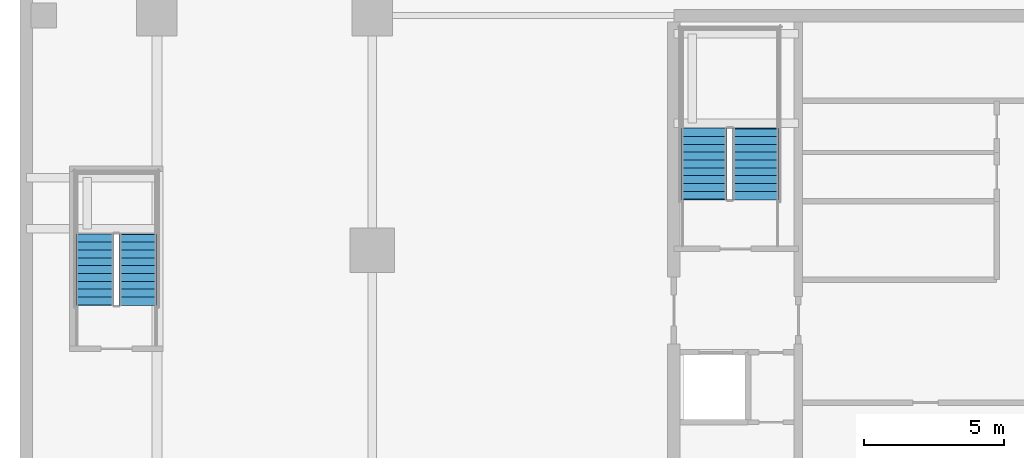
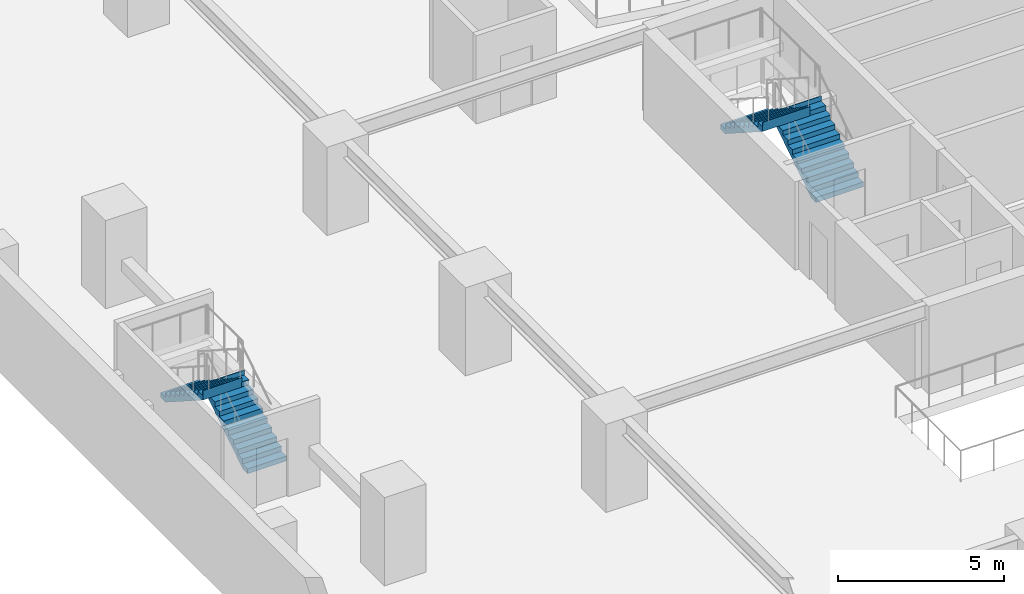
# One storey, part 5 of 10: 4 stair flights, 2 elements without a shape of their own.
"""IFC4 building model written with IfcOpenShell, lengths in metres."""

from ifc_helpers import new_model, si_unit, direction, frame, origin, place, context, subcontext, project, spatial, polygons, material, type_object, element, aggregate, save


model = new_model("IFC4")

# Units and contexts
model_context = context("Model", 3, precision=1e-05, world=origin(), true_north=direction((0.0, 1.0)))
body_context = subcontext(model_context, "Body", "Model", "MODEL_VIEW")
ifc_project = project(units=[si_unit("LENGTHUNIT", "METRE"), si_unit("AREAUNIT", "SQUARE_METRE"), si_unit("VOLUMEUNIT", "CUBIC_METRE"), si_unit("PLANEANGLEUNIT", "RADIAN"), si_unit("MASSUNIT", "GRAM", prefix="KILO")], contexts=[model_context])

# Site, building, storey
site_placement = place(None, origin())
site = spatial("IfcSite", under=ifc_project, at=site_placement, CompositionType="ELEMENT")
building_placement = place(site_placement, origin())
building = spatial("IfcBuilding", under=site, at=building_placement, Name="Serunith Strait Residences", CompositionType="ELEMENT")
storey_placement = place(building_placement, frame((0.0, 0.0, -7.199951171875)))
storey = spatial("IfcBuildingStorey", under=building, at=storey_placement, Name="B02", CompositionType="ELEMENT", Elevation=-7.199951171875)

# Stair, stair flights
ifc_material = material(Name="Concrete C50/60", Category="concrete")
stair_type_1 = type_object("IfcStairType", Name="STR-BSMT-5", PredefinedType="HALF_TURN_STAIR", material=ifc_material)
stair_1_placement = place(storey_placement, origin())
stair_1 = element("IfcStair", 1, at=stair_1_placement, inside=storey, type_object=stair_type_1, Name="B02 Basement Escape Stair ST-5", PredefinedType="HALF_TURN_STAIR")
stair_flight_type_1 = type_object("IfcStairFlightType", Name="FLT-BSMT-5", PredefinedType="STRAIGHT", material=ifc_material)
stair_flight_1_placement = place(storey_placement, frame((4.22509765625, 23.25, 0.0), z_axis=(0.0, 0.0, 1.0), x_axis=(0.0, 1.0, 0.0)))
stair_flight_1 = element("IfcStairFlight", 2, at=stair_flight_1_placement, type_object=stair_flight_type_1, Name="ST-5 flight 1", NumberOfRisers=10, NumberOfTreads=9, PredefinedType="STRAIGHT", RiserHeight=0.18, TreadLength=0.28, context=body_context, shape_type="Tessellation", body=[
    polygons([(-0.02001953125, -0.675048828125, 0.0), (-0.02001953125, -0.675048828125, 0.179931640625), (0.280029296875, -0.675048828125, 0.179931640625), (0.280029296875, -0.675048828125, 0.360107421875), (0.56005859375, -0.675048828125, 0.360107421875), (0.56005859375, -0.675048828125, 0.5400390625), (0.840087890625, -0.675048828125, 0.5400390625), (0.840087890625, -0.675048828125, 0.719970703125), (1.1201171875, -0.675048828125, 0.719970703125), (1.1201171875, -0.675048828125, 0.89990234375), (1.39990234375, -0.675048828125, 0.89990234375), (1.39990234375, -0.675048828125, 1.080078125), (1.679931640625, -0.675048828125, 1.080078125), (1.679931640625, -0.675048828125, 1.260009765625), (1.9599609375, -0.675048828125, 1.260009765625), (1.9599609375, -0.675048828125, 1.43994140625), (2.239990234375, -0.675048828125, 1.43994140625), (2.239990234375, -0.675048828125, 1.6201171875), (2.52001953125, -0.675048828125, 1.6201171875), (2.52001953125, -0.675048828125, 1.800048828125), (2.5400390625, -0.675048828125, 1.800048828125), (2.5400390625, -0.675048828125, 1.739990234375), (2.52001953125, -0.675048828125, 1.44189453125), (0.277099609375, -0.675048828125, 0.0), (-0.02001953125, -0.33740234375, 0.0), (-0.02001953125, -0.33740234375, 0.179931640625), (0.280029296875, -0.33740234375, 0.179931640625), (0.280029296875, -0.33740234375, 0.360107421875), (0.56005859375, -0.33740234375, 0.360107421875), (0.56005859375, -0.33740234375, 0.5400390625), (0.840087890625, -0.33740234375, 0.5400390625), (0.840087890625, -0.33740234375, 0.719970703125), (1.1201171875, -0.33740234375, 0.719970703125), (1.1201171875, -0.33740234375, 0.89990234375), (1.39990234375, -0.33740234375, 0.89990234375), (1.39990234375, -0.33740234375, 1.080078125), (1.679931640625, -0.33740234375, 1.080078125), (1.679931640625, -0.33740234375, 1.260009765625), (1.9599609375, -0.33740234375, 1.260009765625), (1.9599609375, -0.33740234375, 1.43994140625), (2.239990234375, -0.33740234375, 1.43994140625), (2.239990234375, -0.33740234375, 1.6201171875), (2.52001953125, -0.33740234375, 1.6201171875), (2.52001953125, -0.33740234375, 1.800048828125), (2.5400390625, -0.33740234375, 1.800048828125), (2.5400390625, -0.33740234375, 1.739990234375), (2.52001953125, -0.33740234375, 1.44189453125), (0.277099609375, -0.33740234375, 0.0), (-0.02001953125, 0.0, 0.0), (-0.02001953125, 0.0, 0.179931640625), (0.280029296875, 0.0, 0.179931640625), (0.280029296875, 0.0, 0.360107421875), (0.56005859375, 0.0, 0.360107421875), (0.56005859375, 0.0, 0.5400390625), (0.840087890625, 0.0, 0.5400390625), (0.840087890625, 0.0, 0.719970703125), (1.1201171875, 0.0, 0.719970703125), (1.1201171875, 0.0, 0.89990234375), (1.39990234375, 0.0, 0.89990234375), (1.39990234375, 0.0, 1.080078125), (1.679931640625, 0.0, 1.080078125), (1.679931640625, 0.0, 1.260009765625), (1.9599609375, 0.0, 1.260009765625), (1.9599609375, 0.0, 1.43994140625), (2.239990234375, 0.0, 1.43994140625), (2.239990234375, 0.0, 1.6201171875), (2.52001953125, 0.0, 1.6201171875), (2.52001953125, 0.0, 1.800048828125), (2.5400390625, 0.0, 1.800048828125), (2.5400390625, 0.0, 1.739990234375), (2.52001953125, 0.0, 1.44189453125), (0.277099609375, 0.0, 0.0), (-0.02001953125, 0.33740234375, 0.0), (-0.02001953125, 0.33740234375, 0.179931640625), (0.280029296875, 0.33740234375, 0.179931640625), (0.280029296875, 0.33740234375, 0.360107421875), (0.56005859375, 0.33740234375, 0.360107421875), (0.56005859375, 0.33740234375, 0.5400390625), (0.840087890625, 0.33740234375, 0.5400390625), (0.840087890625, 0.33740234375, 0.719970703125), (1.1201171875, 0.33740234375, 0.719970703125), (1.1201171875, 0.33740234375, 0.89990234375), (1.39990234375, 0.33740234375, 0.89990234375), (1.39990234375, 0.33740234375, 1.080078125), (1.679931640625, 0.33740234375, 1.080078125), (1.679931640625, 0.33740234375, 1.260009765625), (1.9599609375, 0.33740234375, 1.260009765625), (1.9599609375, 0.33740234375, 1.43994140625), (2.239990234375, 0.33740234375, 1.43994140625), (2.239990234375, 0.33740234375, 1.6201171875), (2.52001953125, 0.33740234375, 1.6201171875), (2.52001953125, 0.33740234375, 1.800048828125), (2.5400390625, 0.33740234375, 1.800048828125), (2.5400390625, 0.33740234375, 1.739990234375), (2.52001953125, 0.33740234375, 1.44189453125), (0.277099609375, 0.33740234375, 0.0), (-0.02001953125, 0.675048828125, 0.0), (-0.02001953125, 0.675048828125, 0.179931640625), (0.280029296875, 0.675048828125, 0.179931640625), (0.280029296875, 0.675048828125, 0.360107421875), (0.56005859375, 0.675048828125, 0.360107421875), (0.56005859375, 0.675048828125, 0.5400390625), (0.840087890625, 0.675048828125, 0.5400390625), (0.840087890625, 0.675048828125, 0.719970703125), (1.1201171875, 0.675048828125, 0.719970703125), (1.1201171875, 0.675048828125, 0.89990234375), (1.39990234375, 0.675048828125, 0.89990234375), (1.39990234375, 0.675048828125, 1.080078125), (1.679931640625, 0.675048828125, 1.080078125), (1.679931640625, 0.675048828125, 1.260009765625), (1.9599609375, 0.675048828125, 1.260009765625), (1.9599609375, 0.675048828125, 1.43994140625), (2.239990234375, 0.675048828125, 1.43994140625), (2.239990234375, 0.675048828125, 1.6201171875), (2.52001953125, 0.675048828125, 1.6201171875), (2.52001953125, 0.675048828125, 1.800048828125), (2.5400390625, 0.675048828125, 1.800048828125), (2.5400390625, 0.675048828125, 1.739990234375), (2.52001953125, 0.675048828125, 1.44189453125), (0.277099609375, 0.675048828125, 0.0)], [[[1, 2, 26, 25]], [[2, 3, 27, 26]], [[3, 4, 28, 27]], [[4, 5, 29, 28]], [[5, 6, 30, 29]], [[6, 7, 31, 30]], [[7, 8, 32, 31]], [[8, 9, 33, 32]], [[9, 10, 34, 33]], [[10, 11, 35, 34]], [[11, 12, 36, 35]], [[12, 13, 37, 36]], [[13, 14, 38, 37]], [[14, 15, 39, 38]], [[15, 16, 40, 39]], [[16, 17, 41, 40]], [[17, 18, 42, 41]], [[18, 19, 43, 42]], [[19, 20, 44, 43]], [[20, 21, 45, 44]], [[21, 22, 46, 45]], [[22, 23, 47, 46]], [[23, 24, 48, 47]], [[24, 1, 25, 48]], [[25, 26, 50, 49]], [[26, 27, 51, 50]], [[27, 28, 52, 51]], [[28, 29, 53, 52]], [[29, 30, 54, 53]], [[30, 31, 55, 54]], [[31, 32, 56, 55]], [[32, 33, 57, 56]], [[33, 34, 58, 57]], [[34, 35, 59, 58]], [[35, 36, 60, 59]], [[36, 37, 61, 60]], [[37, 38, 62, 61]], [[38, 39, 63, 62]], [[39, 40, 64, 63]], [[40, 41, 65, 64]], [[41, 42, 66, 65]], [[42, 43, 67, 66]], [[43, 44, 68, 67]], [[44, 45, 69, 68]], [[45, 46, 70, 69]], [[46, 47, 71, 70]], [[47, 48, 72, 71]], [[48, 25, 49, 72]], [[49, 50, 74, 73]], [[50, 51, 75, 74]], [[51, 52, 76, 75]], [[52, 53, 77, 76]], [[53, 54, 78, 77]], [[54, 55, 79, 78]], [[55, 56, 80, 79]], [[56, 57, 81, 80]], [[57, 58, 82, 81]], [[58, 59, 83, 82]], [[59, 60, 84, 83]], [[60, 61, 85, 84]], [[61, 62, 86, 85]], [[62, 63, 87, 86]], [[63, 64, 88, 87]], [[64, 65, 89, 88]], [[65, 66, 90, 89]], [[66, 67, 91, 90]], [[67, 68, 92, 91]], [[68, 69, 93, 92]], [[69, 70, 94, 93]], [[70, 71, 95, 94]], [[71, 72, 96, 95]], [[72, 49, 73, 96]], [[73, 74, 98, 97]], [[74, 75, 99, 98]], [[75, 76, 100, 99]], [[76, 77, 101, 100]], [[77, 78, 102, 101]], [[78, 79, 103, 102]], [[79, 80, 104, 103]], [[80, 81, 105, 104]], [[81, 82, 106, 105]], [[82, 83, 107, 106]], [[83, 84, 108, 107]], [[84, 85, 109, 108]], [[85, 86, 110, 109]], [[86, 87, 111, 110]], [[87, 88, 112, 111]], [[88, 89, 113, 112]], [[89, 90, 114, 113]], [[90, 91, 115, 114]], [[91, 92, 116, 115]], [[92, 93, 117, 116]], [[93, 94, 118, 117]], [[94, 95, 119, 118]], [[95, 96, 120, 119]], [[96, 73, 97, 120]], [[24, 23, 22, 21, 20, 19, 18, 17, 16, 15, 14, 13, 12, 11, 10, 9, 8, 7, 6, 5, 4, 3, 2, 1]], [[97, 98, 99, 100, 101, 102, 103, 104, 105, 106, 107, 108, 109, 110, 111, 112, 113, 114, 115, 116, 117, 118, 119, 120]]], closed=True),
])
stair_flight_2_placement = place(storey_placement, frame((2.675048828125, 25.77001953125, 1.800048828125), z_axis=(0.0, 0.0, 1.0), x_axis=(0.0, -1.0, 0.0)))
stair_flight_2 = element("IfcStairFlight", 3, at=stair_flight_2_placement, type_object=stair_flight_type_1, Name="ST-5 flight 2", NumberOfRisers=10, NumberOfTreads=9, PredefinedType="STRAIGHT", RiserHeight=0.18, TreadLength=0.28, context=body_context, shape_type="Tessellation", body=[
    polygons([(-0.02001953125, -0.675048828125, 0.0), (-0.02001953125, -0.675048828125, 0.179931640625), (0.280029296875, -0.675048828125, 0.179931640625), (0.280029296875, -0.675048828125, 0.360107421875), (0.56005859375, -0.675048828125, 0.360107421875), (0.56005859375, -0.675048828125, 0.5400390625), (0.840087890625, -0.675048828125, 0.5400390625), (0.840087890625, -0.675048828125, 0.719970703125), (1.1201171875, -0.675048828125, 0.719970703125), (1.1201171875, -0.675048828125, 0.89990234375), (1.39990234375, -0.675048828125, 0.89990234375), (1.39990234375, -0.675048828125, 1.080078125), (1.679931640625, -0.675048828125, 1.080078125), (1.679931640625, -0.675048828125, 1.260009765625), (1.9599609375, -0.675048828125, 1.260009765625), (1.9599609375, -0.675048828125, 1.43994140625), (2.239990234375, -0.675048828125, 1.43994140625), (2.239990234375, -0.675048828125, 1.6201171875), (2.52001953125, -0.675048828125, 1.6201171875), (2.52001953125, -0.675048828125, 1.800048828125), (2.5400390625, -0.675048828125, 1.800048828125), (2.5400390625, -0.675048828125, 1.739990234375), (2.52001953125, -0.675048828125, 1.44189453125), (0.277099609375, -0.675048828125, 0.0), (-0.02001953125, -0.33740234375, 0.0), (-0.02001953125, -0.33740234375, 0.179931640625), (0.280029296875, -0.33740234375, 0.179931640625), (0.280029296875, -0.33740234375, 0.360107421875), (0.56005859375, -0.33740234375, 0.360107421875), (0.56005859375, -0.33740234375, 0.5400390625), (0.840087890625, -0.33740234375, 0.5400390625), (0.840087890625, -0.33740234375, 0.719970703125), (1.1201171875, -0.33740234375, 0.719970703125), (1.1201171875, -0.33740234375, 0.89990234375), (1.39990234375, -0.33740234375, 0.89990234375), (1.39990234375, -0.33740234375, 1.080078125), (1.679931640625, -0.33740234375, 1.080078125), (1.679931640625, -0.33740234375, 1.260009765625), (1.9599609375, -0.33740234375, 1.260009765625), (1.9599609375, -0.33740234375, 1.43994140625), (2.239990234375, -0.33740234375, 1.43994140625), (2.239990234375, -0.33740234375, 1.6201171875), (2.52001953125, -0.33740234375, 1.6201171875), (2.52001953125, -0.33740234375, 1.800048828125), (2.5400390625, -0.33740234375, 1.800048828125), (2.5400390625, -0.33740234375, 1.739990234375), (2.52001953125, -0.33740234375, 1.44189453125), (0.277099609375, -0.33740234375, 0.0), (-0.02001953125, 0.0, 0.0), (-0.02001953125, 0.0, 0.179931640625), (0.280029296875, 0.0, 0.179931640625), (0.280029296875, 0.0, 0.360107421875), (0.56005859375, 0.0, 0.360107421875), (0.56005859375, 0.0, 0.5400390625), (0.840087890625, 0.0, 0.5400390625), (0.840087890625, 0.0, 0.719970703125), (1.1201171875, 0.0, 0.719970703125), (1.1201171875, 0.0, 0.89990234375), (1.39990234375, 0.0, 0.89990234375), (1.39990234375, 0.0, 1.080078125), (1.679931640625, 0.0, 1.080078125), (1.679931640625, 0.0, 1.260009765625), (1.9599609375, 0.0, 1.260009765625), (1.9599609375, 0.0, 1.43994140625), (2.239990234375, 0.0, 1.43994140625), (2.239990234375, 0.0, 1.6201171875), (2.52001953125, 0.0, 1.6201171875), (2.52001953125, 0.0, 1.800048828125), (2.5400390625, 0.0, 1.800048828125), (2.5400390625, 0.0, 1.739990234375), (2.52001953125, 0.0, 1.44189453125), (0.277099609375, 0.0, 0.0), (-0.02001953125, 0.33740234375, 0.0), (-0.02001953125, 0.33740234375, 0.179931640625), (0.280029296875, 0.33740234375, 0.179931640625), (0.280029296875, 0.33740234375, 0.360107421875), (0.56005859375, 0.33740234375, 0.360107421875), (0.56005859375, 0.33740234375, 0.5400390625), (0.840087890625, 0.33740234375, 0.5400390625), (0.840087890625, 0.33740234375, 0.719970703125), (1.1201171875, 0.33740234375, 0.719970703125), (1.1201171875, 0.33740234375, 0.89990234375), (1.39990234375, 0.33740234375, 0.89990234375), (1.39990234375, 0.33740234375, 1.080078125), (1.679931640625, 0.33740234375, 1.080078125), (1.679931640625, 0.33740234375, 1.260009765625), (1.9599609375, 0.33740234375, 1.260009765625), (1.9599609375, 0.33740234375, 1.43994140625), (2.239990234375, 0.33740234375, 1.43994140625), (2.239990234375, 0.33740234375, 1.6201171875), (2.52001953125, 0.33740234375, 1.6201171875), (2.52001953125, 0.33740234375, 1.800048828125), (2.5400390625, 0.33740234375, 1.800048828125), (2.5400390625, 0.33740234375, 1.739990234375), (2.52001953125, 0.33740234375, 1.44189453125), (0.277099609375, 0.33740234375, 0.0), (-0.02001953125, 0.675048828125, 0.0), (-0.02001953125, 0.675048828125, 0.179931640625), (0.280029296875, 0.675048828125, 0.179931640625), (0.280029296875, 0.675048828125, 0.360107421875), (0.56005859375, 0.675048828125, 0.360107421875), (0.56005859375, 0.675048828125, 0.5400390625), (0.840087890625, 0.675048828125, 0.5400390625), (0.840087890625, 0.675048828125, 0.719970703125), (1.1201171875, 0.675048828125, 0.719970703125), (1.1201171875, 0.675048828125, 0.89990234375), (1.39990234375, 0.675048828125, 0.89990234375), (1.39990234375, 0.675048828125, 1.080078125), (1.679931640625, 0.675048828125, 1.080078125), (1.679931640625, 0.675048828125, 1.260009765625), (1.9599609375, 0.675048828125, 1.260009765625), (1.9599609375, 0.675048828125, 1.43994140625), (2.239990234375, 0.675048828125, 1.43994140625), (2.239990234375, 0.675048828125, 1.6201171875), (2.52001953125, 0.675048828125, 1.6201171875), (2.52001953125, 0.675048828125, 1.800048828125), (2.5400390625, 0.675048828125, 1.800048828125), (2.5400390625, 0.675048828125, 1.739990234375), (2.52001953125, 0.675048828125, 1.44189453125), (0.277099609375, 0.675048828125, 0.0)], [[[1, 2, 26, 25]], [[2, 3, 27, 26]], [[3, 4, 28, 27]], [[4, 5, 29, 28]], [[5, 6, 30, 29]], [[6, 7, 31, 30]], [[7, 8, 32, 31]], [[8, 9, 33, 32]], [[9, 10, 34, 33]], [[10, 11, 35, 34]], [[11, 12, 36, 35]], [[12, 13, 37, 36]], [[13, 14, 38, 37]], [[14, 15, 39, 38]], [[15, 16, 40, 39]], [[16, 17, 41, 40]], [[17, 18, 42, 41]], [[18, 19, 43, 42]], [[19, 20, 44, 43]], [[20, 21, 45, 44]], [[21, 22, 46, 45]], [[22, 23, 47, 46]], [[23, 24, 48, 47]], [[24, 1, 25, 48]], [[25, 26, 50, 49]], [[26, 27, 51, 50]], [[27, 28, 52, 51]], [[28, 29, 53, 52]], [[29, 30, 54, 53]], [[30, 31, 55, 54]], [[31, 32, 56, 55]], [[32, 33, 57, 56]], [[33, 34, 58, 57]], [[34, 35, 59, 58]], [[35, 36, 60, 59]], [[36, 37, 61, 60]], [[37, 38, 62, 61]], [[38, 39, 63, 62]], [[39, 40, 64, 63]], [[40, 41, 65, 64]], [[41, 42, 66, 65]], [[42, 43, 67, 66]], [[43, 44, 68, 67]], [[44, 45, 69, 68]], [[45, 46, 70, 69]], [[46, 47, 71, 70]], [[47, 48, 72, 71]], [[48, 25, 49, 72]], [[49, 50, 74, 73]], [[50, 51, 75, 74]], [[51, 52, 76, 75]], [[52, 53, 77, 76]], [[53, 54, 78, 77]], [[54, 55, 79, 78]], [[55, 56, 80, 79]], [[56, 57, 81, 80]], [[57, 58, 82, 81]], [[58, 59, 83, 82]], [[59, 60, 84, 83]], [[60, 61, 85, 84]], [[61, 62, 86, 85]], [[62, 63, 87, 86]], [[63, 64, 88, 87]], [[64, 65, 89, 88]], [[65, 66, 90, 89]], [[66, 67, 91, 90]], [[67, 68, 92, 91]], [[68, 69, 93, 92]], [[69, 70, 94, 93]], [[70, 71, 95, 94]], [[71, 72, 96, 95]], [[72, 49, 73, 96]], [[73, 74, 98, 97]], [[74, 75, 99, 98]], [[75, 76, 100, 99]], [[76, 77, 101, 100]], [[77, 78, 102, 101]], [[78, 79, 103, 102]], [[79, 80, 104, 103]], [[80, 81, 105, 104]], [[81, 82, 106, 105]], [[82, 83, 107, 106]], [[83, 84, 108, 107]], [[84, 85, 109, 108]], [[85, 86, 110, 109]], [[86, 87, 111, 110]], [[87, 88, 112, 111]], [[88, 89, 113, 112]], [[89, 90, 114, 113]], [[90, 91, 115, 114]], [[91, 92, 116, 115]], [[92, 93, 117, 116]], [[93, 94, 118, 117]], [[94, 95, 119, 118]], [[95, 96, 120, 119]], [[96, 73, 97, 120]], [[24, 23, 22, 21, 20, 19, 18, 17, 16, 15, 14, 13, 12, 11, 10, 9, 8, 7, 6, 5, 4, 3, 2, 1]], [[97, 98, 99, 100, 101, 102, 103, 104, 105, 106, 107, 108, 109, 110, 111, 112, 113, 114, 115, 116, 117, 118, 119, 120]]], closed=True),
])
aggregate(stair_1, [stair_flight_1, stair_flight_2])

stair_type_2 = type_object("IfcStairType", Name="STR-CORE-1", PredefinedType="HALF_TURN_STAIR", material=ifc_material)
stair_2_placement = place(storey_placement, origin())
stair_2 = element("IfcStair", 4, at=stair_2_placement, inside=storey, type_object=stair_type_2, Name="B02 Protected Escape Stair ST-1", PredefinedType="HALF_TURN_STAIR")
stair_flight_type_2 = type_object("IfcStairFlightType", Name="FLT-CORE-1", PredefinedType="STRAIGHT", material=ifc_material)
stair_flight_3_placement = place(storey_placement, frame((26.324951171875, 27.030029296875, 0.0), z_axis=(0.0, 0.0, 1.0), x_axis=(0.0, 1.0, 0.0)))
stair_flight_3 = element("IfcStairFlight", 5, at=stair_flight_3_placement, type_object=stair_flight_type_2, Name="ST-1 flight 1", NumberOfRisers=10, NumberOfTreads=9, PredefinedType="STRAIGHT", RiserHeight=0.18, TreadLength=0.28, context=body_context, shape_type="Tessellation", body=[
    polygons([(-0.02001953125, -0.824951171875, 0.0), (-0.02001953125, -0.824951171875, 0.179931640625), (0.280029296875, -0.824951171875, 0.179931640625), (0.280029296875, -0.824951171875, 0.360107421875), (0.56005859375, -0.824951171875, 0.360107421875), (0.56005859375, -0.824951171875, 0.5400390625), (0.840087890625, -0.824951171875, 0.5400390625), (0.840087890625, -0.824951171875, 0.719970703125), (1.1201171875, -0.824951171875, 0.719970703125), (1.1201171875, -0.824951171875, 0.89990234375), (1.39990234375, -0.824951171875, 0.89990234375), (1.39990234375, -0.824951171875, 1.080078125), (1.679931640625, -0.824951171875, 1.080078125), (1.679931640625, -0.824951171875, 1.260009765625), (1.9599609375, -0.824951171875, 1.260009765625), (1.9599609375, -0.824951171875, 1.43994140625), (2.239990234375, -0.824951171875, 1.43994140625), (2.239990234375, -0.824951171875, 1.6201171875), (2.52001953125, -0.824951171875, 1.6201171875), (2.52001953125, -0.824951171875, 1.800048828125), (2.5400390625, -0.824951171875, 1.800048828125), (2.5400390625, -0.824951171875, 1.739990234375), (2.52001953125, -0.824951171875, 1.44189453125), (0.277099609375, -0.824951171875, 0.0), (-0.02001953125, -0.41259765625, 0.0), (-0.02001953125, -0.41259765625, 0.179931640625), (0.280029296875, -0.41259765625, 0.179931640625), (0.280029296875, -0.41259765625, 0.360107421875), (0.56005859375, -0.41259765625, 0.360107421875), (0.56005859375, -0.41259765625, 0.5400390625), (0.840087890625, -0.41259765625, 0.5400390625), (0.840087890625, -0.41259765625, 0.719970703125), (1.1201171875, -0.41259765625, 0.719970703125), (1.1201171875, -0.41259765625, 0.89990234375), (1.39990234375, -0.41259765625, 0.89990234375), (1.39990234375, -0.41259765625, 1.080078125), (1.679931640625, -0.41259765625, 1.080078125), (1.679931640625, -0.41259765625, 1.260009765625), (1.9599609375, -0.41259765625, 1.260009765625), (1.9599609375, -0.41259765625, 1.43994140625), (2.239990234375, -0.41259765625, 1.43994140625), (2.239990234375, -0.41259765625, 1.6201171875), (2.52001953125, -0.41259765625, 1.6201171875), (2.52001953125, -0.41259765625, 1.800048828125), (2.5400390625, -0.41259765625, 1.800048828125), (2.5400390625, -0.41259765625, 1.739990234375), (2.52001953125, -0.41259765625, 1.44189453125), (0.277099609375, -0.41259765625, 0.0), (-0.02001953125, 0.0, 0.0), (-0.02001953125, 0.0, 0.179931640625), (0.280029296875, 0.0, 0.179931640625), (0.280029296875, 0.0, 0.360107421875), (0.56005859375, 0.0, 0.360107421875), (0.56005859375, 0.0, 0.5400390625), (0.840087890625, 0.0, 0.5400390625), (0.840087890625, 0.0, 0.719970703125), (1.1201171875, 0.0, 0.719970703125), (1.1201171875, 0.0, 0.89990234375), (1.39990234375, 0.0, 0.89990234375), (1.39990234375, 0.0, 1.080078125), (1.679931640625, 0.0, 1.080078125), (1.679931640625, 0.0, 1.260009765625), (1.9599609375, 0.0, 1.260009765625), (1.9599609375, 0.0, 1.43994140625), (2.239990234375, 0.0, 1.43994140625), (2.239990234375, 0.0, 1.6201171875), (2.52001953125, 0.0, 1.6201171875), (2.52001953125, 0.0, 1.800048828125), (2.5400390625, 0.0, 1.800048828125), (2.5400390625, 0.0, 1.739990234375), (2.52001953125, 0.0, 1.44189453125), (0.277099609375, 0.0, 0.0), (-0.02001953125, 0.41259765625, 0.0), (-0.02001953125, 0.41259765625, 0.179931640625), (0.280029296875, 0.41259765625, 0.179931640625), (0.280029296875, 0.41259765625, 0.360107421875), (0.56005859375, 0.41259765625, 0.360107421875), (0.56005859375, 0.41259765625, 0.5400390625), (0.840087890625, 0.41259765625, 0.5400390625), (0.840087890625, 0.41259765625, 0.719970703125), (1.1201171875, 0.41259765625, 0.719970703125), (1.1201171875, 0.41259765625, 0.89990234375), (1.39990234375, 0.41259765625, 0.89990234375), (1.39990234375, 0.41259765625, 1.080078125), (1.679931640625, 0.41259765625, 1.080078125), (1.679931640625, 0.41259765625, 1.260009765625), (1.9599609375, 0.41259765625, 1.260009765625), (1.9599609375, 0.41259765625, 1.43994140625), (2.239990234375, 0.41259765625, 1.43994140625), (2.239990234375, 0.41259765625, 1.6201171875), (2.52001953125, 0.41259765625, 1.6201171875), (2.52001953125, 0.41259765625, 1.800048828125), (2.5400390625, 0.41259765625, 1.800048828125), (2.5400390625, 0.41259765625, 1.739990234375), (2.52001953125, 0.41259765625, 1.44189453125), (0.277099609375, 0.41259765625, 0.0), (-0.02001953125, 0.824951171875, 0.0), (-0.02001953125, 0.824951171875, 0.179931640625), (0.280029296875, 0.824951171875, 0.179931640625), (0.280029296875, 0.824951171875, 0.360107421875), (0.56005859375, 0.824951171875, 0.360107421875), (0.56005859375, 0.824951171875, 0.5400390625), (0.840087890625, 0.824951171875, 0.5400390625), (0.840087890625, 0.824951171875, 0.719970703125), (1.1201171875, 0.824951171875, 0.719970703125), (1.1201171875, 0.824951171875, 0.89990234375), (1.39990234375, 0.824951171875, 0.89990234375), (1.39990234375, 0.824951171875, 1.080078125), (1.679931640625, 0.824951171875, 1.080078125), (1.679931640625, 0.824951171875, 1.260009765625), (1.9599609375, 0.824951171875, 1.260009765625), (1.9599609375, 0.824951171875, 1.43994140625), (2.239990234375, 0.824951171875, 1.43994140625), (2.239990234375, 0.824951171875, 1.6201171875), (2.52001953125, 0.824951171875, 1.6201171875), (2.52001953125, 0.824951171875, 1.800048828125), (2.5400390625, 0.824951171875, 1.800048828125), (2.5400390625, 0.824951171875, 1.739990234375), (2.52001953125, 0.824951171875, 1.44189453125), (0.277099609375, 0.824951171875, 0.0)], [[[1, 2, 26, 25]], [[2, 3, 27, 26]], [[3, 4, 28, 27]], [[4, 5, 29, 28]], [[5, 6, 30, 29]], [[6, 7, 31, 30]], [[7, 8, 32, 31]], [[8, 9, 33, 32]], [[9, 10, 34, 33]], [[10, 11, 35, 34]], [[11, 12, 36, 35]], [[12, 13, 37, 36]], [[13, 14, 38, 37]], [[14, 15, 39, 38]], [[15, 16, 40, 39]], [[16, 17, 41, 40]], [[17, 18, 42, 41]], [[18, 19, 43, 42]], [[19, 20, 44, 43]], [[20, 21, 45, 44]], [[21, 22, 46, 45]], [[22, 23, 47, 46]], [[23, 24, 48, 47]], [[24, 1, 25, 48]], [[25, 26, 50, 49]], [[26, 27, 51, 50]], [[27, 28, 52, 51]], [[28, 29, 53, 52]], [[29, 30, 54, 53]], [[30, 31, 55, 54]], [[31, 32, 56, 55]], [[32, 33, 57, 56]], [[33, 34, 58, 57]], [[34, 35, 59, 58]], [[35, 36, 60, 59]], [[36, 37, 61, 60]], [[37, 38, 62, 61]], [[38, 39, 63, 62]], [[39, 40, 64, 63]], [[40, 41, 65, 64]], [[41, 42, 66, 65]], [[42, 43, 67, 66]], [[43, 44, 68, 67]], [[44, 45, 69, 68]], [[45, 46, 70, 69]], [[46, 47, 71, 70]], [[47, 48, 72, 71]], [[48, 25, 49, 72]], [[49, 50, 74, 73]], [[50, 51, 75, 74]], [[51, 52, 76, 75]], [[52, 53, 77, 76]], [[53, 54, 78, 77]], [[54, 55, 79, 78]], [[55, 56, 80, 79]], [[56, 57, 81, 80]], [[57, 58, 82, 81]], [[58, 59, 83, 82]], [[59, 60, 84, 83]], [[60, 61, 85, 84]], [[61, 62, 86, 85]], [[62, 63, 87, 86]], [[63, 64, 88, 87]], [[64, 65, 89, 88]], [[65, 66, 90, 89]], [[66, 67, 91, 90]], [[67, 68, 92, 91]], [[68, 69, 93, 92]], [[69, 70, 94, 93]], [[70, 71, 95, 94]], [[71, 72, 96, 95]], [[72, 49, 73, 96]], [[73, 74, 98, 97]], [[74, 75, 99, 98]], [[75, 76, 100, 99]], [[76, 77, 101, 100]], [[77, 78, 102, 101]], [[78, 79, 103, 102]], [[79, 80, 104, 103]], [[80, 81, 105, 104]], [[81, 82, 106, 105]], [[82, 83, 107, 106]], [[83, 84, 108, 107]], [[84, 85, 109, 108]], [[85, 86, 110, 109]], [[86, 87, 111, 110]], [[87, 88, 112, 111]], [[88, 89, 113, 112]], [[89, 90, 114, 113]], [[90, 91, 115, 114]], [[91, 92, 116, 115]], [[92, 93, 117, 116]], [[93, 94, 118, 117]], [[94, 95, 119, 118]], [[95, 96, 120, 119]], [[96, 73, 97, 120]], [[24, 23, 22, 21, 20, 19, 18, 17, 16, 15, 14, 13, 12, 11, 10, 9, 8, 7, 6, 5, 4, 3, 2, 1]], [[97, 98, 99, 100, 101, 102, 103, 104, 105, 106, 107, 108, 109, 110, 111, 112, 113, 114, 115, 116, 117, 118, 119, 120]]], closed=True),
])
stair_flight_4_placement = place(storey_placement, frame((24.47509765625, 29.550048828125, 1.800048828125), z_axis=(0.0, 0.0, 1.0), x_axis=(0.0, -1.0, 0.0)))
stair_flight_4 = element("IfcStairFlight", 6, at=stair_flight_4_placement, type_object=stair_flight_type_2, Name="ST-1 flight 2", NumberOfRisers=10, NumberOfTreads=9, PredefinedType="STRAIGHT", RiserHeight=0.18, TreadLength=0.28, context=body_context, shape_type="Tessellation", body=[
    polygons([(-0.02001953125, -0.824951171875, 0.0), (-0.02001953125, -0.824951171875, 0.179931640625), (0.280029296875, -0.824951171875, 0.179931640625), (0.280029296875, -0.824951171875, 0.360107421875), (0.56005859375, -0.824951171875, 0.360107421875), (0.56005859375, -0.824951171875, 0.5400390625), (0.840087890625, -0.824951171875, 0.5400390625), (0.840087890625, -0.824951171875, 0.719970703125), (1.1201171875, -0.824951171875, 0.719970703125), (1.1201171875, -0.824951171875, 0.89990234375), (1.39990234375, -0.824951171875, 0.89990234375), (1.39990234375, -0.824951171875, 1.080078125), (1.679931640625, -0.824951171875, 1.080078125), (1.679931640625, -0.824951171875, 1.260009765625), (1.9599609375, -0.824951171875, 1.260009765625), (1.9599609375, -0.824951171875, 1.43994140625), (2.239990234375, -0.824951171875, 1.43994140625), (2.239990234375, -0.824951171875, 1.6201171875), (2.52001953125, -0.824951171875, 1.6201171875), (2.52001953125, -0.824951171875, 1.800048828125), (2.5400390625, -0.824951171875, 1.800048828125), (2.5400390625, -0.824951171875, 1.739990234375), (2.52001953125, -0.824951171875, 1.44189453125), (0.277099609375, -0.824951171875, 0.0), (-0.02001953125, -0.41259765625, 0.0), (-0.02001953125, -0.41259765625, 0.179931640625), (0.280029296875, -0.41259765625, 0.179931640625), (0.280029296875, -0.41259765625, 0.360107421875), (0.56005859375, -0.41259765625, 0.360107421875), (0.56005859375, -0.41259765625, 0.5400390625), (0.840087890625, -0.41259765625, 0.5400390625), (0.840087890625, -0.41259765625, 0.719970703125), (1.1201171875, -0.41259765625, 0.719970703125), (1.1201171875, -0.41259765625, 0.89990234375), (1.39990234375, -0.41259765625, 0.89990234375), (1.39990234375, -0.41259765625, 1.080078125), (1.679931640625, -0.41259765625, 1.080078125), (1.679931640625, -0.41259765625, 1.260009765625), (1.9599609375, -0.41259765625, 1.260009765625), (1.9599609375, -0.41259765625, 1.43994140625), (2.239990234375, -0.41259765625, 1.43994140625), (2.239990234375, -0.41259765625, 1.6201171875), (2.52001953125, -0.41259765625, 1.6201171875), (2.52001953125, -0.41259765625, 1.800048828125), (2.5400390625, -0.41259765625, 1.800048828125), (2.5400390625, -0.41259765625, 1.739990234375), (2.52001953125, -0.41259765625, 1.44189453125), (0.277099609375, -0.41259765625, 0.0), (-0.02001953125, 0.0, 0.0), (-0.02001953125, 0.0, 0.179931640625), (0.280029296875, 0.0, 0.179931640625), (0.280029296875, 0.0, 0.360107421875), (0.56005859375, 0.0, 0.360107421875), (0.56005859375, 0.0, 0.5400390625), (0.840087890625, 0.0, 0.5400390625), (0.840087890625, 0.0, 0.719970703125), (1.1201171875, 0.0, 0.719970703125), (1.1201171875, 0.0, 0.89990234375), (1.39990234375, 0.0, 0.89990234375), (1.39990234375, 0.0, 1.080078125), (1.679931640625, 0.0, 1.080078125), (1.679931640625, 0.0, 1.260009765625), (1.9599609375, 0.0, 1.260009765625), (1.9599609375, 0.0, 1.43994140625), (2.239990234375, 0.0, 1.43994140625), (2.239990234375, 0.0, 1.6201171875), (2.52001953125, 0.0, 1.6201171875), (2.52001953125, 0.0, 1.800048828125), (2.5400390625, 0.0, 1.800048828125), (2.5400390625, 0.0, 1.739990234375), (2.52001953125, 0.0, 1.44189453125), (0.277099609375, 0.0, 0.0), (-0.02001953125, 0.41259765625, 0.0), (-0.02001953125, 0.41259765625, 0.179931640625), (0.280029296875, 0.41259765625, 0.179931640625), (0.280029296875, 0.41259765625, 0.360107421875), (0.56005859375, 0.41259765625, 0.360107421875), (0.56005859375, 0.41259765625, 0.5400390625), (0.840087890625, 0.41259765625, 0.5400390625), (0.840087890625, 0.41259765625, 0.719970703125), (1.1201171875, 0.41259765625, 0.719970703125), (1.1201171875, 0.41259765625, 0.89990234375), (1.39990234375, 0.41259765625, 0.89990234375), (1.39990234375, 0.41259765625, 1.080078125), (1.679931640625, 0.41259765625, 1.080078125), (1.679931640625, 0.41259765625, 1.260009765625), (1.9599609375, 0.41259765625, 1.260009765625), (1.9599609375, 0.41259765625, 1.43994140625), (2.239990234375, 0.41259765625, 1.43994140625), (2.239990234375, 0.41259765625, 1.6201171875), (2.52001953125, 0.41259765625, 1.6201171875), (2.52001953125, 0.41259765625, 1.800048828125), (2.5400390625, 0.41259765625, 1.800048828125), (2.5400390625, 0.41259765625, 1.739990234375), (2.52001953125, 0.41259765625, 1.44189453125), (0.277099609375, 0.41259765625, 0.0), (-0.02001953125, 0.824951171875, 0.0), (-0.02001953125, 0.824951171875, 0.179931640625), (0.280029296875, 0.824951171875, 0.179931640625), (0.280029296875, 0.824951171875, 0.360107421875), (0.56005859375, 0.824951171875, 0.360107421875), (0.56005859375, 0.824951171875, 0.5400390625), (0.840087890625, 0.824951171875, 0.5400390625), (0.840087890625, 0.824951171875, 0.719970703125), (1.1201171875, 0.824951171875, 0.719970703125), (1.1201171875, 0.824951171875, 0.89990234375), (1.39990234375, 0.824951171875, 0.89990234375), (1.39990234375, 0.824951171875, 1.080078125), (1.679931640625, 0.824951171875, 1.080078125), (1.679931640625, 0.824951171875, 1.260009765625), (1.9599609375, 0.824951171875, 1.260009765625), (1.9599609375, 0.824951171875, 1.43994140625), (2.239990234375, 0.824951171875, 1.43994140625), (2.239990234375, 0.824951171875, 1.6201171875), (2.52001953125, 0.824951171875, 1.6201171875), (2.52001953125, 0.824951171875, 1.800048828125), (2.5400390625, 0.824951171875, 1.800048828125), (2.5400390625, 0.824951171875, 1.739990234375), (2.52001953125, 0.824951171875, 1.44189453125), (0.277099609375, 0.824951171875, 0.0)], [[[1, 2, 26, 25]], [[2, 3, 27, 26]], [[3, 4, 28, 27]], [[4, 5, 29, 28]], [[5, 6, 30, 29]], [[6, 7, 31, 30]], [[7, 8, 32, 31]], [[8, 9, 33, 32]], [[9, 10, 34, 33]], [[10, 11, 35, 34]], [[11, 12, 36, 35]], [[12, 13, 37, 36]], [[13, 14, 38, 37]], [[14, 15, 39, 38]], [[15, 16, 40, 39]], [[16, 17, 41, 40]], [[17, 18, 42, 41]], [[18, 19, 43, 42]], [[19, 20, 44, 43]], [[20, 21, 45, 44]], [[21, 22, 46, 45]], [[22, 23, 47, 46]], [[23, 24, 48, 47]], [[24, 1, 25, 48]], [[25, 26, 50, 49]], [[26, 27, 51, 50]], [[27, 28, 52, 51]], [[28, 29, 53, 52]], [[29, 30, 54, 53]], [[30, 31, 55, 54]], [[31, 32, 56, 55]], [[32, 33, 57, 56]], [[33, 34, 58, 57]], [[34, 35, 59, 58]], [[35, 36, 60, 59]], [[36, 37, 61, 60]], [[37, 38, 62, 61]], [[38, 39, 63, 62]], [[39, 40, 64, 63]], [[40, 41, 65, 64]], [[41, 42, 66, 65]], [[42, 43, 67, 66]], [[43, 44, 68, 67]], [[44, 45, 69, 68]], [[45, 46, 70, 69]], [[46, 47, 71, 70]], [[47, 48, 72, 71]], [[48, 25, 49, 72]], [[49, 50, 74, 73]], [[50, 51, 75, 74]], [[51, 52, 76, 75]], [[52, 53, 77, 76]], [[53, 54, 78, 77]], [[54, 55, 79, 78]], [[55, 56, 80, 79]], [[56, 57, 81, 80]], [[57, 58, 82, 81]], [[58, 59, 83, 82]], [[59, 60, 84, 83]], [[60, 61, 85, 84]], [[61, 62, 86, 85]], [[62, 63, 87, 86]], [[63, 64, 88, 87]], [[64, 65, 89, 88]], [[65, 66, 90, 89]], [[66, 67, 91, 90]], [[67, 68, 92, 91]], [[68, 69, 93, 92]], [[69, 70, 94, 93]], [[70, 71, 95, 94]], [[71, 72, 96, 95]], [[72, 49, 73, 96]], [[73, 74, 98, 97]], [[74, 75, 99, 98]], [[75, 76, 100, 99]], [[76, 77, 101, 100]], [[77, 78, 102, 101]], [[78, 79, 103, 102]], [[79, 80, 104, 103]], [[80, 81, 105, 104]], [[81, 82, 106, 105]], [[82, 83, 107, 106]], [[83, 84, 108, 107]], [[84, 85, 109, 108]], [[85, 86, 110, 109]], [[86, 87, 111, 110]], [[87, 88, 112, 111]], [[88, 89, 113, 112]], [[89, 90, 114, 113]], [[90, 91, 115, 114]], [[91, 92, 116, 115]], [[92, 93, 117, 116]], [[93, 94, 118, 117]], [[94, 95, 119, 118]], [[95, 96, 120, 119]], [[96, 73, 97, 120]], [[24, 23, 22, 21, 20, 19, 18, 17, 16, 15, 14, 13, 12, 11, 10, 9, 8, 7, 6, 5, 4, 3, 2, 1]], [[97, 98, 99, 100, 101, 102, 103, 104, 105, 106, 107, 108, 109, 110, 111, 112, 113, 114, 115, 116, 117, 118, 119, 120]]], closed=True),
])
aggregate(stair_2, [stair_flight_3, stair_flight_4])

save(model, "model.ifc")
